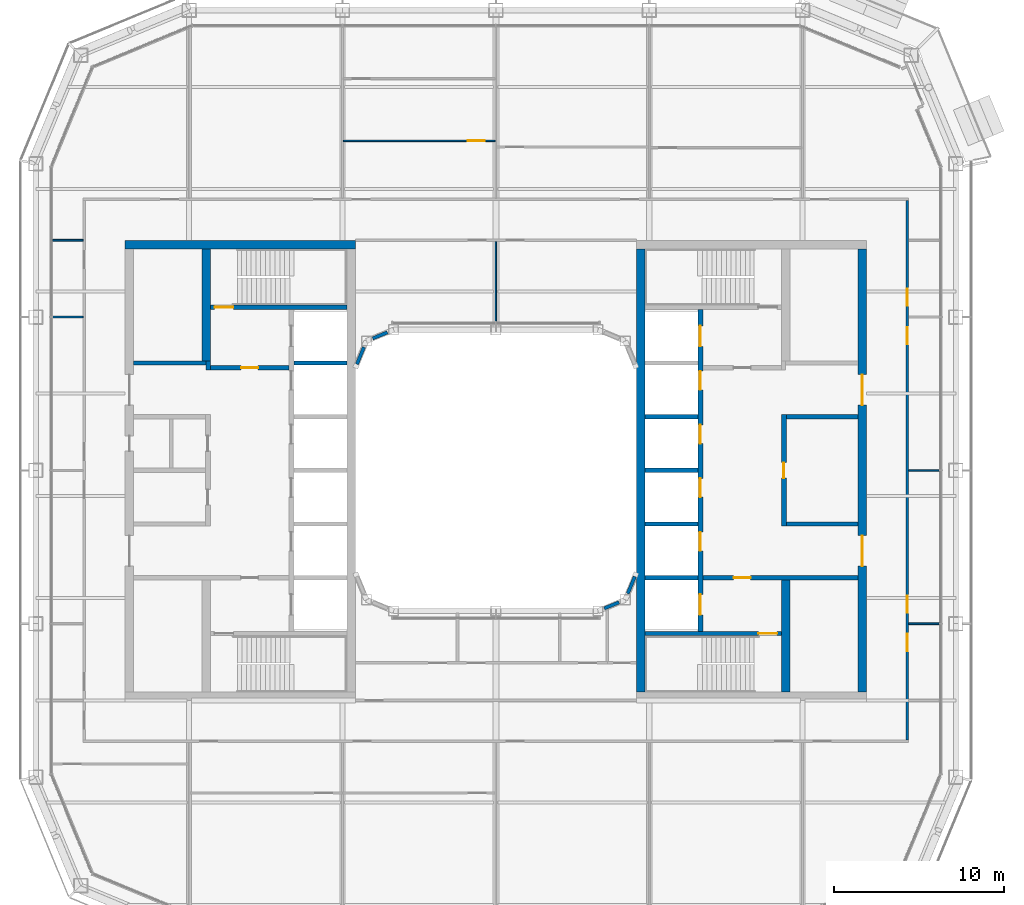
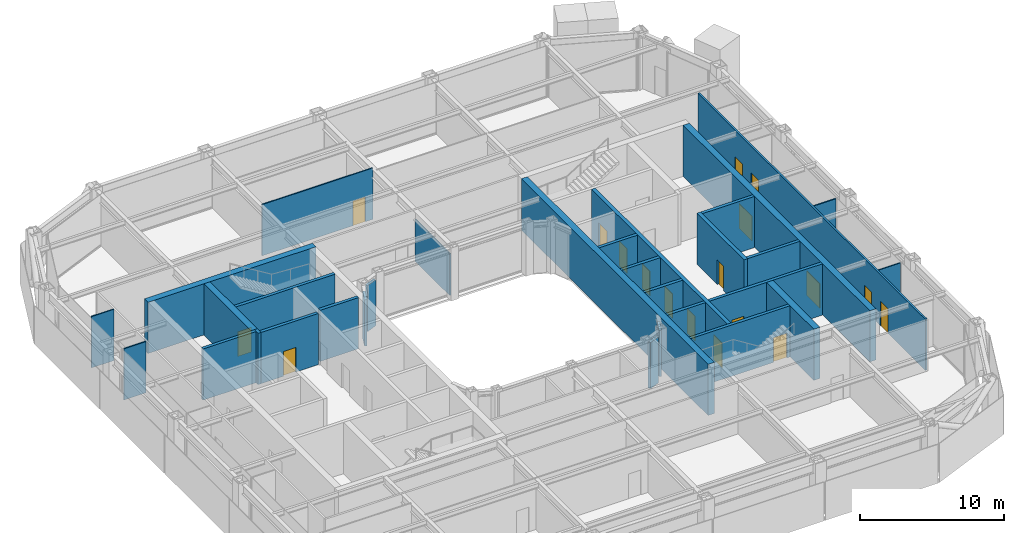
# One storey, part 14 of 23: 31 walls, 18 doors, 18 openings.
"""IFC4 building model written with IfcOpenShell, lengths in metres."""

import ifcopenshell
import ifcopenshell.guid

model = None  # the IFC model being written
_history = None  # IfcOwnerHistory: only IFC2X3 demands one
_inside = {}  # id of a spatial element -> (the spatial element, [elements in it])
_under = {}  # id of a project, library or spatial element -> (it, [spatial elements below it])
_declared = {}  # id of a project -> (the project, [libraries it declares])
_typed = {}  # id of a type object -> (the type object, [elements of that type])
_made_of = {}  # id of a material, layer set ... -> (it, [elements and type objects made of it])


def new_model(schema):
    """Start an empty IFC model of exactly this schema.

    Asked for "IFC4X3", IfcOpenShell would pick the latest addendum, in which some entities
    have other attributes; the version numbers below select the first issue.
    IFC2X3 requires an IfcOwnerHistory on every rooted entity: one is made here for all.
    """
    global model, _history
    if schema == "IFC4X3":
        model = ifcopenshell.file(schema_version=(4, 3, 0, 0))
    else:
        model = ifcopenshell.file(schema=schema)
    _inside.clear()
    _under.clear()
    _declared.clear()
    _typed.clear()
    _made_of.clear()
    _history = None
    if model.schema == "IFC2X3":
        org = make("IfcOrganization", Name="unknown")
        user = make(
            "IfcPersonAndOrganization",
            ThePerson=make("IfcPerson", FamilyName="unknown"),
            TheOrganization=org,
        )
        app = make(
            "IfcApplication",
            ApplicationDeveloper=org,
            Version="unknown",
            ApplicationFullName="unknown",
            ApplicationIdentifier="unknown",
        )
        _history = make(
            "IfcOwnerHistory",
            OwningUser=user,
            OwningApplication=app,
            ChangeAction="ADDED",
            CreationDate=0,
        )
    return model


def make(cls, **values):
    """One entity of the class cls with the attributes given. An attribute that is None is left unset."""
    return model.create_entity(
        cls, **{name: value for name, value in values.items() if value is not None}
    )


def rooted(cls, **values):
    """An entity with a GlobalId (a new one), such as an element, a storey or a relation."""
    return make(cls, GlobalId=ifcopenshell.guid.new(), OwnerHistory=_history, **values)


def si_unit(unit_type, name, prefix=None):
    """IfcSIUnit, for example si_unit("LENGTHUNIT", "METRE", prefix="MILLI")."""
    return make("IfcSIUnit", UnitType=unit_type, Prefix=prefix, Name=name)


def assignment(units):
    """IfcUnitAssignment: the units of a project."""
    return None if units is None else make("IfcUnitAssignment", Units=units)


def point(xyz):
    """IfcCartesianPoint."""
    return None if xyz is None else make("IfcCartesianPoint", Coordinates=xyz)


def direction(xyz):
    """IfcDirection."""
    return None if xyz is None else make("IfcDirection", DirectionRatios=xyz)


def frame(location, z_axis=None, x_axis=None):
    """IfcAxis2Placement3D, a coordinate frame: its origin and axes. An axis left out is left unset."""
    return make(
        "IfcAxis2Placement3D",
        Location=point(location),
        Axis=direction(z_axis),
        RefDirection=direction(x_axis),
    )


def frame_2d(location, x_axis=None):
    """IfcAxis2Placement2D, a coordinate frame in the plane: its origin and x axis."""
    return make(
        "IfcAxis2Placement2D", Location=point(location), RefDirection=direction(x_axis)
    )


def origin():
    """The frame at (0, 0, 0) with its axes left unset."""
    return frame((0.0, 0.0, 0.0))


def place(relative_to, where):
    """IfcLocalPlacement: puts the frame where relative to a parent placement (None: the world)."""
    return make(
        "IfcLocalPlacement", PlacementRelTo=relative_to, RelativePlacement=where
    )


def context(
    kind, dimensions, precision=None, world=None, true_north=None, identifier=None
):
    """IfcGeometricRepresentationContext, for example the 3D "Model" context."""
    return make(
        "IfcGeometricRepresentationContext",
        ContextIdentifier=identifier,
        ContextType=kind,
        CoordinateSpaceDimension=dimensions,
        Precision=precision,
        WorldCoordinateSystem=world,
        TrueNorth=true_north,
    )


def subcontext(parent, identifier, kind, view, scale=None):
    """IfcGeometricRepresentationSubContext, for example "Body" below "Model"."""
    return make(
        "IfcGeometricRepresentationSubContext",
        ContextIdentifier=identifier,
        ContextType=kind,
        ParentContext=parent,
        TargetScale=scale,
        TargetView=view,
    )


def project(units=None, contexts=None):
    """IfcProject with its units and contexts."""
    return rooted(
        "IfcProject",
        Name="project",
        RepresentationContexts=contexts,
        UnitsInContext=assignment(units),
    )


def spatial(cls, under=None, at=None, **own):
    """A site, building, storey or space (cls), placed at a placement, below another one or the project."""
    s = rooted(cls, ObjectPlacement=at, **own)
    if under is not None:
        _under.setdefault(under.id(), (under, []))[1].append(s)
    return s


def profile(cls, at=None, kind="AREA", **sizes):
    """A parametric profile (cls). Its sizes go by their IFC names, for example OverallWidth=200.0."""
    return make(cls, ProfileType=kind, Position=at, **sizes)


def rectangle(**sizes):
    """IfcRectangleProfileDef."""
    return profile("IfcRectangleProfileDef", **sizes)


def extrude(swept, where, along, depth):
    """IfcExtrudedAreaSolid: the profile swept, set in the frame where, extruded along a direction by depth."""
    return make(
        "IfcExtrudedAreaSolid",
        SweptArea=swept,
        Position=where,
        ExtrudedDirection=direction(along),
        Depth=depth,
    )


def shape(context_of_items, identifier, shape_type, items):
    """IfcShapeRepresentation: the items that make up one representation, for example the "Body"."""
    return make(
        "IfcShapeRepresentation",
        ContextOfItems=context_of_items,
        RepresentationIdentifier=identifier,
        RepresentationType=shape_type,
        Items=items,
    )


def material(Name=None, Category=None):
    """IfcMaterial."""
    return make("IfcMaterial", Name=Name, Category=Category)


def layer(
    of_material, thickness, ventilated=None, Name=None, Category=None, Priority=None
):
    """IfcMaterialLayer: one layer of a wall or slab, of a material (None: an air gap)."""
    return make(
        "IfcMaterialLayer",
        Material=of_material,
        LayerThickness=thickness,
        IsVentilated=ventilated,
        Name=Name,
        Category=Category,
        Priority=Priority,
    )


def layer_set(layers, Name=None):
    """IfcMaterialLayerSet."""
    return make("IfcMaterialLayerSet", MaterialLayers=layers, LayerSetName=Name)


def made_of(thing, what):
    """Note that an element or type object is made of a material, layer set ...; save() writes the relation."""
    if what is not None:
        _made_of.setdefault(what.id(), (what, []))[1].append(thing)
    return thing


def type_object(cls, material=None, **own):
    """A type object (cls), such as IfcWallType, which elements share."""
    return made_of(rooted(cls, **own), material)


def element(
    cls,
    number,
    at=None,
    inside=None,
    cuts=None,
    type_object=None,
    material=None,
    context=None,
    identifier="Body",
    shape_type=None,
    held_by="IfcProductDefinitionShape",
    body=None,
    shapes=None,
    **own,
):
    """One element of the class cls, such as IfcWall. Its Tag is "e" and its number.

    at: its placement. inside: the storey or other place that contains it. cuts: it is an
    opening in that element (IfcRelVoidsElement). A single representation is given by context,
    identifier, shape_type and body (its items); several are given by shapes. held_by: the class
    of the entity that holds the representations. save() writes the other relations.
    """
    e = rooted(cls, Tag="e%d" % number, ObjectPlacement=at, **own)
    if body is not None:
        shapes = [shape(context, identifier, shape_type, body)]
    if shapes is not None:
        e.Representation = make(held_by, Representations=shapes)
    if inside is not None:
        _inside.setdefault(inside.id(), (inside, []))[1].append(e)
    if cuts is not None:
        rooted(
            "IfcRelVoidsElement", RelatingBuildingElement=cuts, RelatedOpeningElement=e
        )
    if type_object is not None:
        _typed.setdefault(type_object.id(), (type_object, []))[1].append(e)
    return made_of(e, material)


def fill(opening, filler):
    """IfcRelFillsElement: the door or window that sits in an opening."""
    return rooted(
        "IfcRelFillsElement",
        RelatingOpeningElement=opening,
        RelatedBuildingElement=filler,
    )


def aggregate(whole, parts):
    """IfcRelAggregates: a whole, such as a stair, and the parts it consists of."""
    return rooted("IfcRelAggregates", RelatingObject=whole, RelatedObjects=parts)


def save(model, path):
    """Write the relations noted so far, then the file.

    IfcRelAggregates (storeys below a building ...), IfcRelContainedInSpatialStructure (elements
    in a storey), IfcRelDefinesByType, IfcRelAssociatesMaterial and IfcRelDeclares: one each for
    every whole, place, type object, material and project.
    """
    for whole, parts in _under.values():
        aggregate(whole, parts)
    for where, things in _inside.values():
        rooted(
            "IfcRelContainedInSpatialStructure",
            RelatedElements=things,
            RelatingStructure=where,
        )
    for kind, things in _typed.values():
        rooted("IfcRelDefinesByType", RelatedObjects=things, RelatingType=kind)
    for what, things in _made_of.values():
        rooted("IfcRelAssociatesMaterial", RelatedObjects=things, RelatingMaterial=what)
    for by, libraries in _declared.values():
        rooted("IfcRelDeclares", RelatingContext=by, RelatedDefinitions=libraries)
    model.write(path)


model = new_model("IFC4")

# Units and contexts
model_context = context("Model", 3, precision=1e-05, world=origin(), true_north=direction((0.0, 1.0)))
body_context = subcontext(model_context, "Body", "Model", "MODEL_VIEW")
ifc_project = project(units=[si_unit("LENGTHUNIT", "METRE"), si_unit("AREAUNIT", "SQUARE_METRE"), si_unit("VOLUMEUNIT", "CUBIC_METRE"), si_unit("PLANEANGLEUNIT", "RADIAN"), si_unit("MASSUNIT", "GRAM", prefix="KILO")], contexts=[model_context])

# Site, building, storey
site_placement = place(None, origin())
site = spatial("IfcSite", under=ifc_project, at=site_placement, CompositionType="ELEMENT")
building_placement = place(site_placement, origin())
building = spatial("IfcBuilding", under=site, at=building_placement, Name="Siwar Civic Tower", CompositionType="ELEMENT")
storey_placement = place(building_placement, frame((0.0, 0.0, 206.199951171875)))
storey = spatial("IfcBuildingStorey", under=building, at=storey_placement, Name="L44", CompositionType="ELEMENT", Elevation=206.199951171875)

# Wall, opening, door
ifc_material_1 = material(Name="Concrete C60/75", Category="concrete")
ifc_layer_1 = layer(ifc_material_1, 0.25)
ifc_layer_set_1 = layer_set([ifc_layer_1], Name="Concrete C60/75")
wall_type_1 = type_object("IfcWallType", Name="CORE-WALL-RC250", PredefinedType="SHEAR", material=ifc_layer_set_1)
wall_1_placement = place(storey_placement, frame((-12.14990234375, 6.02490234375, 0.0), z_axis=(0.0, 0.0, 1.0), x_axis=(-1.0, 0.0, 0.0)))
wall_1 = element("IfcWall", 1, at=wall_1_placement, inside=storey, type_object=wall_type_1, Name="Core wall W", PredefinedType="SHEAR", context=body_context, shape_type="SweptSolid", body=[
    extrude(rectangle(XDim=4.60009765625, YDim=0.25, at=frame_2d((2.300048828125, 0.0))), origin(), (0.0, 0.0, 1.0), 4.35009765625),
])
opening_1_placement = place(wall_1_placement, frame((1.800048828125, 0.0, 0.0)))
opening_1 = element("IfcOpeningElement", 2, at=opening_1_placement, cuts=wall_1, Name="Opening L44-CW01", PredefinedType="OPENING", context=body_context, shape_type="SweptSolid", body=[
    extrude(rectangle(XDim=1.0, YDim=2.10009765625, at=frame_2d((0.5, 1.050048828125))), frame((0.0, 0.135009765625, 0.0), z_axis=(0.0, -1.0, 0.0), x_axis=(1.0, 0.0, 0.0)), (0.0, 0.0, 1.0), 0.27001953125),
])
ifc_material_2 = material(Name="Steel door leaf", Category="steel")
door_type_1 = type_object("IfcDoorType", Name="CORE-DOOR-FD30S", OperationType="SINGLE_SWING_LEFT", PredefinedType="DOOR", material=ifc_material_2)
door_1_placement = place(opening_1_placement, origin())
door_1 = element("IfcDoor", 3, at=door_1_placement, inside=storey, type_object=door_type_1, Name="Firefighting lobby door L44-CW01", OperationType="SINGLE_SWING_LEFT", OverallHeight=2.10009765625, OverallWidth=1.0, PredefinedType="DOOR", context=body_context, shape_type="SweptSolid", body=[
    extrude(rectangle(XDim=1.0, YDim=2.10009765625, at=frame_2d((0.5, 1.050048828125))), frame((0.0, 0.02490234375, 0.0), z_axis=(0.0, -1.0, 0.0), x_axis=(1.0, 0.0, 0.0)), (0.0, 0.0, 1.0), 0.050048828125),
])
fill(opening_1, door_1)

# Walls
wall_2_placement = place(storey_placement, frame((-16.875, 5.89990234375, 0.0), z_axis=(0.0, 0.0, 1.0), x_axis=(0.0, 1.0, 0.0)))
element("IfcWall", 4, at=wall_2_placement, inside=storey, type_object=wall_type_1, Name="Core wall W", PredefinedType="SHEAR", context=body_context, shape_type="SweptSolid", body=[
    extrude(rectangle(XDim=0.525146484375, YDim=0.25, at=frame_2d((0.2626953125, 0.0))), origin(), (0.0, 0.0, 1.0), 4.35009765625),
])
wall_3_placement = place(storey_placement, frame((-17.0, 6.300048828125, 0.0), z_axis=(0.0, 0.0, 1.0), x_axis=(-1.0, 0.0, 0.0)))
element("IfcWall", 5, at=wall_3_placement, inside=storey, type_object=wall_type_1, Name="Core wall W", PredefinedType="SHEAR", context=body_context, shape_type="SweptSolid", body=[
    extrude(rectangle(XDim=4.25, YDim=0.25, at=frame_2d((2.125, 0.0))), origin(), (0.0, 0.0, 1.0), 4.35009765625),
])
wall_4_placement = place(storey_placement, frame((-8.75, 6.300048828125, 0.0), z_axis=(0.0, 0.0, 1.0), x_axis=(-1.0, 0.0, 0.0)))
element("IfcWall", 6, at=wall_4_placement, inside=storey, type_object=wall_type_1, Name="Core wall W", PredefinedType="SHEAR", context=body_context, shape_type="SweptSolid", body=[
    extrude(rectangle(XDim=3.10009765625, YDim=0.25, at=frame_2d((1.550048828125, 0.0))), origin(), (0.0, 0.0, 1.0), 4.35009765625),
])

# Wall, opening, door
wall_5_placement = place(storey_placement, frame((-8.75, 9.574951171875, 0.0), z_axis=(0.0, 0.0, 1.0), x_axis=(-1.0, 0.0, 0.0)))
wall_5 = element("IfcWall", 7, at=wall_5_placement, inside=storey, type_object=wall_type_1, Name="Core wall W", PredefinedType="SHEAR", context=body_context, shape_type="SweptSolid", body=[
    extrude(rectangle(XDim=8.0, YDim=0.25, at=frame_2d((4.0, 0.0))), origin(), (0.0, 0.0, 1.0), 4.35009765625),
])
opening_2_placement = place(wall_5_placement, frame((6.64990234375, 0.0, 0.0)))
opening_2 = element("IfcOpeningElement", 8, at=opening_2_placement, cuts=wall_5, Name="Opening L44-CW03", PredefinedType="OPENING", context=body_context, shape_type="SweptSolid", body=[
    extrude(rectangle(XDim=1.10009765625, YDim=2.10009765625, at=frame_2d((0.550048828125, 1.050048828125))), frame((0.0, 0.135009765625, 0.0), z_axis=(0.0, -1.0, 0.0), x_axis=(1.0, 0.0, 0.0)), (0.0, 0.0, 1.0), 0.27001953125),
])
ifc_material_3 = material(Name="Steel door leaf", Category="steel")
door_type_2 = type_object("IfcDoorType", Name="CORE-DOOR-FD60S", OperationType="SINGLE_SWING_LEFT", PredefinedType="DOOR", material=ifc_material_3)
door_2_placement = place(opening_2_placement, origin())
door_2 = element("IfcDoor", 9, at=door_2_placement, inside=storey, type_object=door_type_2, Name="Stair door L44-CW03", OperationType="SINGLE_SWING_RIGHT", OverallHeight=2.10009765625, OverallWidth=1.10009765625, PredefinedType="DOOR", context=body_context, shape_type="SweptSolid", body=[
    extrude(rectangle(XDim=1.10009765625, YDim=2.10009765625, at=frame_2d((0.550048828125, 1.050048828125))), frame((0.0, 0.02490234375, 0.0), z_axis=(0.0, -1.0, 0.0), x_axis=(1.0, 0.0, 0.0)), (0.0, 0.0, 1.0), 0.050048828125),
])
fill(opening_2, door_2)

wall_6_placement = place(storey_placement, frame((12.14990234375, -6.300048828125, 0.0), z_axis=(0.0, 0.0, 1.0), x_axis=(1.0, 0.0, 0.0)))
wall_6 = element("IfcWall", 10, at=wall_6_placement, inside=storey, type_object=wall_type_1, Name="Core wall E", PredefinedType="SHEAR", context=body_context, shape_type="SweptSolid", body=[
    extrude(rectangle(XDim=9.10009765625, YDim=0.25, at=frame_2d((4.550048828125, 0.0))), origin(), (0.0, 0.0, 1.0), 4.35009765625),
])
opening_3_placement = place(wall_6_placement, frame((1.800048828125, 0.0, 0.0)))
opening_3 = element("IfcOpeningElement", 11, at=opening_3_placement, cuts=wall_6, Name="Opening L44-CE02", PredefinedType="OPENING", context=body_context, shape_type="SweptSolid", body=[
    extrude(rectangle(XDim=1.0, YDim=2.10009765625, at=frame_2d((0.5, 1.050048828125))), frame((0.0, 0.135009765625, 0.0), z_axis=(0.0, -1.0, 0.0), x_axis=(1.0, 0.0, 0.0)), (0.0, 0.0, 1.0), 0.27001953125),
])
door_3_placement = place(opening_3_placement, origin())
door_3 = element("IfcDoor", 12, at=door_3_placement, inside=storey, type_object=door_type_1, Name="Service lobby door L44-CE02", OperationType="SINGLE_SWING_LEFT", OverallHeight=2.10009765625, OverallWidth=1.0, PredefinedType="DOOR", context=body_context, shape_type="SweptSolid", body=[
    extrude(rectangle(XDim=1.0, YDim=2.10009765625, at=frame_2d((0.5, 1.050048828125))), frame((0.0, 0.02490234375, 0.0), z_axis=(0.0, -1.0, 0.0), x_axis=(1.0, 0.0, 0.0)), (0.0, 0.0, 1.0), 0.050048828125),
])
fill(opening_3, door_3)

# Walls
for number, where, z_axis, x_axis, name in (
    (13, (17.050048828125, 3.14990234375, 0.0), (0.0, 0.0, 1.0), (1.0, 0.0, 0.0), "Core wall E"),
    (14, (17.050048828125, -3.14990234375, 0.0), (0.0, 0.0, 1.0), (1.0, 0.0, 0.0), "Core wall E"),
):
    element("IfcWall", number, at=place(storey_placement, frame(where, z_axis=z_axis, x_axis=x_axis)), inside=storey, type_object=wall_type_1, Name=name, PredefinedType="SHEAR", context=body_context, shape_type="SweptSolid", body=[
        extrude(rectangle(XDim=4.199951171875, YDim=0.25, at=frame_2d((2.10009765625, 0.0))), origin(), (0.0, 0.0, 1.0), 4.35009765625),
    ])
for number, where, z_axis, x_axis, name in (
    (15, (8.75, 0.0, 0.0), (0.0, 0.0, 1.0), (1.0, 0.0, 0.0), "Core wall E"),
    (16, (8.75, 3.14990234375, 0.0), (0.0, 0.0, 1.0), (1.0, 0.0, 0.0), "Core wall E"),
    (17, (8.75, -3.14990234375, 0.0), (0.0, 0.0, 1.0), (1.0, 0.0, 0.0), "Core wall E"),
    (18, (8.75, -6.300048828125, 0.0), (0.0, 0.0, 1.0), (1.0, 0.0, 0.0), "Core wall E"),
):
    element("IfcWall", number, at=place(storey_placement, frame(where, z_axis=z_axis, x_axis=x_axis)), inside=storey, type_object=wall_type_1, Name=name, PredefinedType="SHEAR", context=body_context, shape_type="SweptSolid", body=[
        extrude(rectangle(XDim=3.10009765625, YDim=0.25, at=frame_2d((1.550048828125, 0.0))), origin(), (0.0, 0.0, 1.0), 4.35009765625),
    ])

# Wall, opening, door
wall_7_placement = place(storey_placement, frame((8.75, -9.574951171875, 0.0), z_axis=(0.0, 0.0, 1.0), x_axis=(1.0, 0.0, 0.0)))
wall_7 = element("IfcWall", 19, at=wall_7_placement, inside=storey, type_object=wall_type_1, Name="Core wall E", PredefinedType="SHEAR", context=body_context, shape_type="SweptSolid", body=[
    extrude(rectangle(XDim=8.0, YDim=0.25, at=frame_2d((4.0, 0.0))), origin(), (0.0, 0.0, 1.0), 4.35009765625),
])
opening_4_placement = place(wall_7_placement, frame((6.64990234375, 0.0, 0.0)))
opening_4 = element("IfcOpeningElement", 20, at=opening_4_placement, cuts=wall_7, Name="Opening L44-CE04", PredefinedType="OPENING", context=body_context, shape_type="SweptSolid", body=[
    extrude(rectangle(XDim=1.10009765625, YDim=2.10009765625, at=frame_2d((0.550048828125, 1.050048828125))), frame((0.0, 0.135009765625, 0.0), z_axis=(0.0, -1.0, 0.0), x_axis=(1.0, 0.0, 0.0)), (0.0, 0.0, 1.0), 0.27001953125),
])
door_4_placement = place(opening_4_placement, origin())
door_4 = element("IfcDoor", 21, at=door_4_placement, inside=storey, type_object=door_type_2, Name="Stair door L44-CE04", OperationType="SINGLE_SWING_RIGHT", OverallHeight=2.10009765625, OverallWidth=1.10009765625, PredefinedType="DOOR", context=body_context, shape_type="SweptSolid", body=[
    extrude(rectangle(XDim=1.10009765625, YDim=2.10009765625, at=frame_2d((0.550048828125, 1.050048828125))), frame((0.0, 0.02490234375, 0.0), z_axis=(0.0, -1.0, 0.0), x_axis=(1.0, 0.0, 0.0)), (0.0, 0.0, 1.0), 0.050048828125),
])
fill(opening_4, door_4)

# Wall, openings, doors
ifc_material_4 = material(Name="Concrete C60/75", Category="concrete")
ifc_layer_2 = layer(ifc_material_4, 0.300048828125)
ifc_layer_set_2 = layer_set([ifc_layer_2], Name="Concrete C60/75")
wall_type_2 = type_object("IfcWallType", Name="CORE-WALL-RC300", PredefinedType="SHEAR", material=ifc_layer_set_2)
wall_8_placement = place(storey_placement, frame((12.0, -9.449951171875, 0.0), z_axis=(0.0, 0.0, 1.0), x_axis=(0.0, 1.0, 0.0)))
wall_8 = element("IfcWall", 22, at=wall_8_placement, inside=storey, type_object=wall_type_2, Name="Core wall E", PredefinedType="SHEAR", context=body_context, shape_type="SweptSolid", body=[
    extrude(rectangle(XDim=18.89990234375, YDim=0.300048828125, at=frame_2d((9.449951171875, 0.0))), origin(), (0.0, 0.0, 1.0), 4.35009765625),
])
opening_5_placement = place(wall_8_placement, frame((4.72509765625, 0.0, 0.0)))
opening_5 = element("IfcOpeningElement", 23, at=opening_5_placement, cuts=wall_8, Name="Opening L44-CE07", PredefinedType="OPENING", context=body_context, shape_type="SweptSolid", body=[
    extrude(rectangle(XDim=1.10009765625, YDim=2.10009765625, at=frame_2d((0.550048828125, 1.050048828125))), frame((0.0, 0.16015625, 0.0), z_axis=(0.0, -1.0, 0.0), x_axis=(1.0, 0.0, 0.0)), (0.0, 0.0, 1.0), 0.320068359375),
])
opening_6_placement = place(wall_8_placement, frame((7.875, 0.0, 0.0)))
opening_6 = element("IfcOpeningElement", 24, at=opening_6_placement, cuts=wall_8, Name="Opening L44-CE08", PredefinedType="OPENING", context=body_context, shape_type="SweptSolid", body=[
    extrude(rectangle(XDim=1.10009765625, YDim=2.10009765625, at=frame_2d((0.550048828125, 1.050048828125))), frame((0.0, 0.16015625, 0.0), z_axis=(0.0, -1.0, 0.0), x_axis=(1.0, 0.0, 0.0)), (0.0, 0.0, 1.0), 0.320068359375),
])
opening_7_placement = place(wall_8_placement, frame((11.02490234375, 0.0, 0.0)))
opening_7 = element("IfcOpeningElement", 25, at=opening_7_placement, cuts=wall_8, Name="Opening L44-CE09", PredefinedType="OPENING", context=body_context, shape_type="SweptSolid", body=[
    extrude(rectangle(XDim=1.10009765625, YDim=2.10009765625, at=frame_2d((0.550048828125, 1.050048828125))), frame((0.0, 0.16015625, 0.0), z_axis=(0.0, -1.0, 0.0), x_axis=(1.0, 0.0, 0.0)), (0.0, 0.0, 1.0), 0.320068359375),
])
opening_8_placement = place(wall_8_placement, frame((14.175048828125, 0.0, 0.0)))
opening_8 = element("IfcOpeningElement", 26, at=opening_8_placement, cuts=wall_8, Name="Opening L44-CE10", PredefinedType="OPENING", context=body_context, shape_type="SweptSolid", body=[
    extrude(rectangle(XDim=1.10009765625, YDim=2.10009765625, at=frame_2d((0.550048828125, 1.050048828125))), frame((0.0, 0.16015625, 0.0), z_axis=(0.0, -1.0, 0.0), x_axis=(1.0, 0.0, 0.0)), (0.0, 0.0, 1.0), 0.320068359375),
])
opening_9_placement = place(wall_8_placement, frame((16.72509765625, 0.0, 0.0)))
opening_9 = element("IfcOpeningElement", 27, at=opening_9_placement, cuts=wall_8, Name="Opening L44-CE11", PredefinedType="OPENING", context=body_context, shape_type="SweptSolid", body=[
    extrude(rectangle(XDim=1.199951171875, YDim=2.10009765625, at=frame_2d((0.60009765625, 1.050048828125))), frame((0.0, 0.16015625, 0.0), z_axis=(0.0, -1.0, 0.0), x_axis=(1.0, 0.0, 0.0)), (0.0, 0.0, 1.0), 0.320068359375),
])
opening_10_placement = place(wall_8_placement, frame((0.97509765625, 0.0, 0.0)))
opening_10 = element("IfcOpeningElement", 28, at=opening_10_placement, cuts=wall_8, Name="Opening L44-CE12", PredefinedType="OPENING", context=body_context, shape_type="SweptSolid", body=[
    extrude(rectangle(XDim=1.199951171875, YDim=2.10009765625, at=frame_2d((0.60009765625, 1.050048828125))), frame((0.0, 0.16015625, 0.0), z_axis=(0.0, -1.0, 0.0), x_axis=(1.0, 0.0, 0.0)), (0.0, 0.0, 1.0), 0.320068359375),
])
ifc_material_5 = material(Name="Steel door leaf", Category="steel")
door_type_3 = type_object("IfcDoorType", Name="CORE-DOOR-LD", OperationType="DOUBLE_DOOR_SLIDING", PredefinedType="DOOR", material=ifc_material_5)
door_5_placement = place(opening_5_placement, origin())
door_5 = element("IfcDoor", 29, at=door_5_placement, inside=storey, type_object=door_type_3, Name="Landing door HR5 L44-CE07", OperationType="DOUBLE_DOOR_SLIDING", OverallHeight=2.10009765625, OverallWidth=1.10009765625, PredefinedType="DOOR", context=body_context, shape_type="SweptSolid", body=[
    extrude(rectangle(XDim=1.10009765625, YDim=2.10009765625, at=frame_2d((0.550048828125, 1.050048828125))), frame((0.0, 0.02490234375, 0.0), z_axis=(0.0, -1.0, 0.0), x_axis=(1.0, 0.0, 0.0)), (0.0, 0.0, 1.0), 0.050048828125),
])
fill(opening_5, door_5)
door_6_placement = place(opening_6_placement, origin())
door_6 = element("IfcDoor", 30, at=door_6_placement, inside=storey, type_object=door_type_3, Name="Landing door HR6 L44-CE08", OperationType="DOUBLE_DOOR_SLIDING", OverallHeight=2.10009765625, OverallWidth=1.10009765625, PredefinedType="DOOR", context=body_context, shape_type="SweptSolid", body=[
    extrude(rectangle(XDim=1.10009765625, YDim=2.10009765625, at=frame_2d((0.550048828125, 1.050048828125))), frame((0.0, 0.02490234375, 0.0), z_axis=(0.0, -1.0, 0.0), x_axis=(1.0, 0.0, 0.0)), (0.0, 0.0, 1.0), 0.050048828125),
])
fill(opening_6, door_6)
door_7_placement = place(opening_7_placement, origin())
door_7 = element("IfcDoor", 31, at=door_7_placement, inside=storey, type_object=door_type_3, Name="Landing door HR7 L44-CE09", OperationType="DOUBLE_DOOR_SLIDING", OverallHeight=2.10009765625, OverallWidth=1.10009765625, PredefinedType="DOOR", context=body_context, shape_type="SweptSolid", body=[
    extrude(rectangle(XDim=1.10009765625, YDim=2.10009765625, at=frame_2d((0.550048828125, 1.050048828125))), frame((0.0, 0.02490234375, 0.0), z_axis=(0.0, -1.0, 0.0), x_axis=(1.0, 0.0, 0.0)), (0.0, 0.0, 1.0), 0.050048828125),
])
fill(opening_7, door_7)
door_8_placement = place(opening_8_placement, origin())
door_8 = element("IfcDoor", 32, at=door_8_placement, inside=storey, type_object=door_type_3, Name="Landing door HR8 L44-CE10", OperationType="DOUBLE_DOOR_SLIDING", OverallHeight=2.10009765625, OverallWidth=1.10009765625, PredefinedType="DOOR", context=body_context, shape_type="SweptSolid", body=[
    extrude(rectangle(XDim=1.10009765625, YDim=2.10009765625, at=frame_2d((0.550048828125, 1.050048828125))), frame((0.0, 0.02490234375, 0.0), z_axis=(0.0, -1.0, 0.0), x_axis=(1.0, 0.0, 0.0)), (0.0, 0.0, 1.0), 0.050048828125),
])
fill(opening_8, door_8)
ifc_material_6 = material(Name="Steel door leaf", Category="steel")
door_type_4 = type_object("IfcDoorType", Name="CORE-DOOR-LDW", OperationType="DOUBLE_DOOR_SLIDING", PredefinedType="DOOR", material=ifc_material_6)
door_9_placement = place(opening_9_placement, origin())
door_9 = element("IfcDoor", 33, at=door_9_placement, inside=storey, type_object=door_type_4, Name="Landing door FF2 L44-CE11", OperationType="DOUBLE_DOOR_SLIDING", OverallHeight=2.10009765625, OverallWidth=1.199951171875, PredefinedType="DOOR", context=body_context, shape_type="SweptSolid", body=[
    extrude(rectangle(XDim=1.199951171875, YDim=2.10009765625, at=frame_2d((0.60009765625, 1.050048828125))), frame((0.0, 0.02490234375, 0.0), z_axis=(0.0, -1.0, 0.0), x_axis=(1.0, 0.0, 0.0)), (0.0, 0.0, 1.0), 0.050048828125),
])
fill(opening_9, door_9)
door_10_placement = place(opening_10_placement, origin())
door_10 = element("IfcDoor", 34, at=door_10_placement, inside=storey, type_object=door_type_4, Name="Landing door SV2 L44-CE12", OperationType="DOUBLE_DOOR_SLIDING", OverallHeight=2.10009765625, OverallWidth=1.199951171875, PredefinedType="DOOR", context=body_context, shape_type="SweptSolid", body=[
    extrude(rectangle(XDim=1.199951171875, YDim=2.10009765625, at=frame_2d((0.60009765625, 1.050048828125))), frame((0.0, 0.02490234375, 0.0), z_axis=(0.0, -1.0, 0.0), x_axis=(1.0, 0.0, 0.0)), (0.0, 0.0, 1.0), 0.050048828125),
])
fill(opening_10, door_10)

# Wall, opening, door
wall_9_placement = place(storey_placement, frame((16.89990234375, -3.27490234375, 0.0), z_axis=(0.0, 0.0, 1.0), x_axis=(0.0, 1.0, 0.0)))
wall_9 = element("IfcWall", 35, at=wall_9_placement, inside=storey, type_object=wall_type_2, Name="Core wall E", PredefinedType="SHEAR", context=body_context, shape_type="SweptSolid", body=[
    extrude(rectangle(XDim=6.5498046875, YDim=0.300048828125, at=frame_2d((3.27490234375, 0.0))), origin(), (0.0, 0.0, 1.0), 4.35009765625),
])
opening_11_placement = place(wall_9_placement, frame((2.824951171875, 0.0, 0.0)))
opening_11 = element("IfcOpeningElement", 36, at=opening_11_placement, cuts=wall_9, Name="Opening L44-CE13", PredefinedType="OPENING", context=body_context, shape_type="SweptSolid", body=[
    extrude(rectangle(XDim=0.89990234375, YDim=2.10009765625, at=frame_2d((0.449951171875, 1.050048828125))), frame((0.0, 0.16015625, 0.0), z_axis=(0.0, -1.0, 0.0), x_axis=(1.0, 0.0, 0.0)), (0.0, 0.0, 1.0), 0.320068359375),
])
ifc_material_7 = material(Name="Steel door leaf", Category="steel")
door_type_5 = type_object("IfcDoorType", Name="CORE-DOOR-ROOM", OperationType="SINGLE_SWING_LEFT", PredefinedType="DOOR", material=ifc_material_7)
door_11_placement = place(opening_11_placement, origin())
door_11 = element("IfcDoor", 37, at=door_11_placement, inside=storey, type_object=door_type_5, Name="Core room door L44-CE13", OperationType="SINGLE_SWING_LEFT", OverallHeight=2.10009765625, OverallWidth=0.89990234375, PredefinedType="DOOR", context=body_context, shape_type="SweptSolid", body=[
    extrude(rectangle(XDim=0.89990234375, YDim=2.10009765625, at=frame_2d((0.449951171875, 1.050048828125))), frame((0.0, 0.02490234375, 0.0), z_axis=(0.0, -1.0, 0.0), x_axis=(1.0, 0.0, 0.0)), (0.0, 0.0, 1.0), 0.050048828125),
])
fill(opening_11, door_11)

# Walls
ifc_material_8 = material(Name="Concrete C60/75", Category="concrete")
ifc_layer_3 = layer(ifc_material_8, 0.5)
ifc_layer_set_3 = layer_set([ifc_layer_3], Name="Concrete C60/75")
wall_type_3 = type_object("IfcWallType", Name="CORE-WALL-RC500", PredefinedType="SHEAR", material=ifc_layer_set_3)
wall_10_placement = place(storey_placement, frame((-17.0, 6.425048828125, 0.0), z_axis=(0.0, 0.0, 1.0), x_axis=(0.0, 1.0, 0.0)))
element("IfcWall", 38, at=wall_10_placement, inside=storey, type_object=wall_type_3, Name="Core wall W", PredefinedType="SHEAR", context=body_context, shape_type="SweptSolid", body=[
    extrude(rectangle(XDim=6.574951171875, YDim=0.5, at=frame_2d((3.28759765625, 0.0))), origin(), (0.0, 0.0, 1.0), 4.35009765625),
])
wall_11_placement = place(storey_placement, frame((-8.25, 13.25, 0.0), z_axis=(0.0, 0.0, 1.0), x_axis=(-1.0, 0.0, 0.0)))
element("IfcWall", 39, at=wall_11_placement, inside=storey, type_object=wall_type_3, Name="Core wall W", PredefinedType="SHEAR", context=body_context, shape_type="SweptSolid", body=[
    extrude(rectangle(XDim=13.5, YDim=0.5, at=frame_2d((6.75, 0.0))), origin(), (0.0, 0.0, 1.0), 4.35009765625),
])

# Wall, openings, doors
wall_12_placement = place(storey_placement, frame((21.5, -13.0, 0.0), z_axis=(0.0, 0.0, 1.0), x_axis=(0.0, 1.0, 0.0)))
wall_12 = element("IfcWall", 40, at=wall_12_placement, inside=storey, type_object=wall_type_3, Name="Core wall E", PredefinedType="SHEAR", context=body_context, shape_type="SweptSolid", body=[
    extrude(rectangle(XDim=26.0, YDim=0.5, at=frame_2d((13.0, 0.0))), origin(), (0.0, 0.0, 1.0), 4.35009765625),
])
opening_12_placement = place(wall_12_placement, frame((16.824951171875, 0.0, 0.0)))
opening_12 = element("IfcOpeningElement", 41, at=opening_12_placement, cuts=wall_12, Name="Opening L44-CE05", PredefinedType="OPENING", context=body_context, shape_type="SweptSolid", body=[
    extrude(rectangle(XDim=1.800048828125, YDim=2.10009765625, at=frame_2d((0.89990234375, 1.050048828125))), frame((0.0, 0.260009765625, 0.0), z_axis=(0.0, -1.0, 0.0), x_axis=(1.0, 0.0, 0.0)), (0.0, 0.0, 1.0), 0.52001953125),
])
opening_13_placement = place(wall_12_placement, frame((7.375, 0.0, 0.0)))
opening_13 = element("IfcOpeningElement", 42, at=opening_13_placement, cuts=wall_12, Name="Opening L44-CE06", PredefinedType="OPENING", context=body_context, shape_type="SweptSolid", body=[
    extrude(rectangle(XDim=1.800048828125, YDim=2.10009765625, at=frame_2d((0.89990234375, 1.050048828125))), frame((0.0, 0.260009765625, 0.0), z_axis=(0.0, -1.0, 0.0), x_axis=(1.0, 0.0, 0.0)), (0.0, 0.0, 1.0), 0.52001953125),
])
ifc_material_9 = material(Name="Steel door leaf", Category="steel")
door_type_6 = type_object("IfcDoorType", Name="CORE-DOOR-PORT", OperationType="DOUBLE_DOOR_DOUBLE_SWING", PredefinedType="DOOR", material=ifc_material_9)
door_12_placement = place(opening_12_placement, origin())
door_12 = element("IfcDoor", 43, at=door_12_placement, inside=storey, type_object=door_type_6, Name="Core entrance door L44-CE05", OperationType="DOUBLE_DOOR_DOUBLE_SWING", OverallHeight=2.10009765625, OverallWidth=1.800048828125, PredefinedType="DOOR", context=body_context, shape_type="SweptSolid", body=[
    extrude(rectangle(XDim=1.800048828125, YDim=2.10009765625, at=frame_2d((0.89990234375, 1.050048828125))), frame((0.0, 0.02490234375, 0.0), z_axis=(0.0, -1.0, 0.0), x_axis=(1.0, 0.0, 0.0)), (0.0, 0.0, 1.0), 0.050048828125),
])
fill(opening_12, door_12)
door_13_placement = place(opening_13_placement, origin())
door_13 = element("IfcDoor", 44, at=door_13_placement, inside=storey, type_object=door_type_6, Name="Core entrance door L44-CE06", OperationType="DOUBLE_DOOR_DOUBLE_SWING", OverallHeight=2.10009765625, OverallWidth=1.800048828125, PredefinedType="DOOR", context=body_context, shape_type="SweptSolid", body=[
    extrude(rectangle(XDim=1.800048828125, YDim=2.10009765625, at=frame_2d((0.89990234375, 1.050048828125))), frame((0.0, 0.02490234375, 0.0), z_axis=(0.0, -1.0, 0.0), x_axis=(1.0, 0.0, 0.0)), (0.0, 0.0, 1.0), 0.050048828125),
])
fill(opening_13, door_13)

# Walls
wall_13_placement = place(storey_placement, frame((17.0, -13.0, 0.0), z_axis=(0.0, 0.0, 1.0), x_axis=(0.0, 1.0, 0.0)))
element("IfcWall", 45, at=wall_13_placement, inside=storey, type_object=wall_type_3, Name="Core wall E", PredefinedType="SHEAR", context=body_context, shape_type="SweptSolid", body=[
    extrude(rectangle(XDim=6.574951171875, YDim=0.5, at=frame_2d((3.28759765625, 0.0))), origin(), (0.0, 0.0, 1.0), 4.35009765625),
])
ifc_material_10 = material(Name="Concrete C60/75", Category="concrete")
ifc_layer_4 = layer(ifc_material_10, 0.5)
ifc_layer_set_4 = layer_set([ifc_layer_4], Name="Concrete C60/75")
wall_type_4 = type_object("IfcWallType", Name="CORE-WALL-RC500-EXT", PredefinedType="SHEAR", material=ifc_layer_set_4)
wall_14_placement = place(storey_placement, frame((8.5, -13.0, 0.0), z_axis=(0.0, 0.0, 1.0), x_axis=(0.0, 1.0, 0.0)))
element("IfcWall", 46, at=wall_14_placement, inside=storey, type_object=wall_type_4, Name="Core wall E", PredefinedType="SHEAR", context=body_context, shape_type="SweptSolid", body=[
    extrude(rectangle(XDim=26.0, YDim=0.5, at=frame_2d((13.0, 0.0))), origin(), (0.0, 0.0, 1.0), 4.35009765625),
])

# Wall, openings, doors
ifc_material_11 = material(Name="Gypsum board on steel studs", Category="steel")
ifc_layer_5 = layer(ifc_material_11, 0.14990234375)
ifc_layer_set_5 = layer_set([ifc_layer_5], Name="Gypsum board on steel studs")
wall_type_5 = type_object("IfcWallType", Name="CORRIDOR PARTITION 150 EI 30", PredefinedType="PARTITIONING", material=ifc_layer_set_5)
wall_15_placement = place(storey_placement, frame((24.14990234375, -15.824951171875, 0.0), z_axis=(0.0, 0.0, 1.0), x_axis=(0.0, 1.0, 0.0)))
wall_15 = element("IfcWall", 47, at=wall_15_placement, inside=storey, type_object=wall_type_5, Name="L44/wall/P39", PredefinedType="PARTITIONING", context=body_context, shape_type="SweptSolid", body=[
    extrude(rectangle(XDim=31.64990234375, YDim=0.14990234375, at=frame_2d((15.824951171875, 0.0))), origin(), (0.0, 0.0, 1.0), 4.35009765625),
])
opening_14_placement = place(wall_15_placement, frame((5.22509765625, 0.0, 0.0)))
opening_14 = element("IfcOpeningElement", 48, at=opening_14_placement, cuts=wall_15, Name="Opening D1", PredefinedType="OPENING", context=body_context, shape_type="SweptSolid", body=[
    extrude(rectangle(XDim=1.0, YDim=2.10009765625, at=frame_2d((0.5, 1.050048828125))), frame((0.0, 0.0849609375, 0.0), z_axis=(0.0, -1.0, 0.0), x_axis=(1.0, 0.0, 0.0)), (0.0, 0.0, 1.0), 0.169921875),
])
opening_15_placement = place(wall_15_placement, frame((7.47509765625, 0.0, 0.0)))
opening_15 = element("IfcOpeningElement", 49, at=opening_15_placement, cuts=wall_15, Name="Opening D1", PredefinedType="OPENING", context=body_context, shape_type="SweptSolid", body=[
    extrude(rectangle(XDim=1.0, YDim=2.10009765625, at=frame_2d((0.5, 1.050048828125))), frame((0.0, 0.0849609375, 0.0), z_axis=(0.0, -1.0, 0.0), x_axis=(1.0, 0.0, 0.0)), (0.0, 0.0, 1.0), 0.169921875),
])
opening_16_placement = place(wall_15_placement, frame((23.22509765625, 0.0, 0.0)))
opening_16 = element("IfcOpeningElement", 50, at=opening_16_placement, cuts=wall_15, Name="Opening D1", PredefinedType="OPENING", context=body_context, shape_type="SweptSolid", body=[
    extrude(rectangle(XDim=1.0, YDim=2.10009765625, at=frame_2d((0.5, 1.050048828125))), frame((0.0, 0.0849609375, 0.0), z_axis=(0.0, -1.0, 0.0), x_axis=(1.0, 0.0, 0.0)), (0.0, 0.0, 1.0), 0.169921875),
])
opening_17_placement = place(wall_15_placement, frame((25.47509765625, 0.0, 0.0)))
opening_17 = element("IfcOpeningElement", 51, at=opening_17_placement, cuts=wall_15, Name="Opening D1", PredefinedType="OPENING", context=body_context, shape_type="SweptSolid", body=[
    extrude(rectangle(XDim=1.0, YDim=2.10009765625, at=frame_2d((0.5, 1.050048828125))), frame((0.0, 0.0849609375, 0.0), z_axis=(0.0, -1.0, 0.0), x_axis=(1.0, 0.0, 0.0)), (0.0, 0.0, 1.0), 0.169921875),
])
ifc_material_12 = material(Name="Timber, painted", Category="wood")
door_type_7 = type_object("IfcDoorType", Name="DOOR 1000 X 2100 FD30", OperationType="SINGLE_SWING_LEFT", PredefinedType="DOOR", material=ifc_material_12)
door_14_placement = place(opening_14_placement, origin())
door_14 = element("IfcDoor", 52, at=door_14_placement, inside=storey, type_object=door_type_7, Name="L44-D24", OperationType="SINGLE_SWING_RIGHT", OverallHeight=2.10009765625, OverallWidth=1.0, PredefinedType="DOOR", context=body_context, shape_type="SweptSolid", body=[
    extrude(rectangle(XDim=1.0, YDim=2.10009765625, at=frame_2d((0.5, 1.050048828125))), frame((0.0, 0.02490234375, 0.0), z_axis=(0.0, -1.0, 0.0), x_axis=(1.0, 0.0, 0.0)), (0.0, 0.0, 1.0), 0.050048828125),
])
fill(opening_14, door_14)
door_15_placement = place(opening_15_placement, origin())
door_15 = element("IfcDoor", 53, at=door_15_placement, inside=storey, type_object=door_type_7, Name="L44-D25", OperationType="SINGLE_SWING_LEFT", OverallHeight=2.10009765625, OverallWidth=1.0, PredefinedType="DOOR", context=body_context, shape_type="SweptSolid", body=[
    extrude(rectangle(XDim=1.0, YDim=2.10009765625, at=frame_2d((0.5, 1.050048828125))), frame((0.0, 0.02490234375, 0.0), z_axis=(0.0, -1.0, 0.0), x_axis=(1.0, 0.0, 0.0)), (0.0, 0.0, 1.0), 0.050048828125),
])
fill(opening_15, door_15)
door_16_placement = place(opening_16_placement, origin())
door_16 = element("IfcDoor", 54, at=door_16_placement, inside=storey, type_object=door_type_7, Name="L44-D26", OperationType="SINGLE_SWING_RIGHT", OverallHeight=2.10009765625, OverallWidth=1.0, PredefinedType="DOOR", context=body_context, shape_type="SweptSolid", body=[
    extrude(rectangle(XDim=1.0, YDim=2.10009765625, at=frame_2d((0.5, 1.050048828125))), frame((0.0, 0.02490234375, 0.0), z_axis=(0.0, -1.0, 0.0), x_axis=(1.0, 0.0, 0.0)), (0.0, 0.0, 1.0), 0.050048828125),
])
fill(opening_16, door_16)
door_17_placement = place(opening_17_placement, origin())
door_17 = element("IfcDoor", 55, at=door_17_placement, inside=storey, type_object=door_type_7, Name="L44-D27", OperationType="SINGLE_SWING_LEFT", OverallHeight=2.10009765625, OverallWidth=1.0, PredefinedType="DOOR", context=body_context, shape_type="SweptSolid", body=[
    extrude(rectangle(XDim=1.0, YDim=2.10009765625, at=frame_2d((0.5, 1.050048828125))), frame((0.0, 0.02490234375, 0.0), z_axis=(0.0, -1.0, 0.0), x_axis=(1.0, 0.0, 0.0)), (0.0, 0.0, 1.0), 0.050048828125),
])
fill(opening_17, door_17)

# Walls
ifc_material_13 = material(Name="Aluminium clad insulated panel", Category="aluminium")
ifc_layer_6 = layer(ifc_material_13, 0.199951171875)
ifc_layer_set_6 = layer_set([ifc_layer_6], Name="Aluminium clad insulated panel")
wall_type_6 = type_object("IfcWallType", Name="ENV-WALL-WELL", PredefinedType="STANDARD", material=ifc_layer_set_6)
wall_16_placement = place(storey_placement, frame((6.362060546875, -8.10009765625, 0.0), z_axis=(0.0, 0.0, 1.0), x_axis=(0.923829670615, 0.382803787458, 0.0)))
element("IfcWall", 56, at=wall_16_placement, inside=storey, type_object=wall_type_6, Name="Light well corner wall SE1", PredefinedType="STANDARD", context=body_context, shape_type="SweptSolid", body=[
    extrude(rectangle(XDim=0.938232421875, YDim=0.199951171875, at=frame_2d((0.46923828125, 0.0))), origin(), (0.0, 0.0, 1.0), 3.91796875),
])
wall_17_placement = place(storey_placement, frame((7.740966796875, -7.228759765625, 0.0), z_axis=(0.0, 0.0, 1.0), x_axis=(0.382704496366, 0.923870807235, 0.0)))
element("IfcWall", 57, at=wall_17_placement, inside=storey, type_object=wall_type_6, Name="Light well corner wall SE2", PredefinedType="STANDARD", context=body_context, shape_type="SweptSolid", body=[
    extrude(rectangle(XDim=1.080078125, YDim=0.199951171875, at=frame_2d((0.5400390625, 0.0))), origin(), (0.0, 0.0, 1.0), 3.91796875),
])
wall_18_placement = place(storey_placement, frame((-6.362060546875, 8.10009765625, 0.0), z_axis=(0.0, 0.0, 1.0), x_axis=(-0.923829670615, -0.382803787458, 0.0)))
element("IfcWall", 58, at=wall_18_placement, inside=storey, type_object=wall_type_6, Name="Light well corner wall NW1", PredefinedType="STANDARD", context=body_context, shape_type="SweptSolid", body=[
    extrude(rectangle(XDim=0.938232421875, YDim=0.199951171875, at=frame_2d((0.46923828125, 0.0))), origin(), (0.0, 0.0, 1.0), 3.91796875),
])
wall_19_placement = place(storey_placement, frame((-7.740966796875, 7.228759765625, 0.0), z_axis=(0.0, 0.0, 1.0), x_axis=(-0.382704496366, -0.923870807235, 0.0)))
element("IfcWall", 59, at=wall_19_placement, inside=storey, type_object=wall_type_6, Name="Light well corner wall NW2", PredefinedType="STANDARD", context=body_context, shape_type="SweptSolid", body=[
    extrude(rectangle(XDim=1.080078125, YDim=0.199951171875, at=frame_2d((0.5400390625, 0.0))), origin(), (0.0, 0.0, 1.0), 3.91796875),
])
ifc_material_14 = material(Name="Gypsum board on steel studs", Category="steel")
ifc_layer_7 = layer(ifc_material_14, 0.10009765625)
ifc_layer_set_7 = layer_set([ifc_layer_7], Name="Gypsum board on steel studs")
wall_type_7 = type_object("IfcWallType", Name="PARTITION 100 GYPSUM", PredefinedType="PARTITIONING", material=ifc_layer_set_7)
for number, where, z_axis, x_axis, name in (
    (60, (24.22509765625, -9.0, 0.0), (0.0, 0.0, 1.0), (1.0, 0.0, 0.0), "L44/wall/P10"),
    (61, (24.22509765625, 0.0, 0.0), (0.0, 0.0, 1.0), (1.0, 0.0, 0.0), "L44/wall/P12"),
    (62, (-26.010009765625, 9.0, 0.0), (0.0, 0.0, 1.0), (1.0, 0.0, 0.0), "L44/wall/P13"),
    (63, (-26.010009765625, 13.5, 0.0), (0.0, 0.0, 1.0), (1.0, 0.0, 0.0), "L44/wall/P15"),
):
    element("IfcWall", number, at=place(storey_placement, frame(where, z_axis=z_axis, x_axis=x_axis)), inside=storey, type_object=wall_type_7, Name=name, PredefinedType="PARTITIONING", context=body_context, shape_type="SweptSolid", body=[
        extrude(rectangle(XDim=1.784912109375, YDim=0.10009765625, at=frame_2d((0.892578125, 0.0))), origin(), (0.0, 0.0, 1.0), 4.35009765625),
    ])

# Wall, opening, door
wall_20_placement = place(storey_placement, frame((-8.949951171875, 19.3369140625, 0.0), z_axis=(0.0, 0.0, 1.0), x_axis=(1.0, 0.0, 0.0)))
wall_20 = element("IfcWall", 64, at=wall_20_placement, inside=storey, type_object=wall_type_7, Name="L44/wall/P21", PredefinedType="PARTITIONING", context=body_context, shape_type="SweptSolid", body=[
    extrude(rectangle(XDim=8.89990234375, YDim=0.10009765625, at=frame_2d((4.449951171875, 0.0))), origin(), (0.0, 0.0, 1.0), 4.35009765625),
])
opening_18_placement = place(wall_20_placement, frame((7.300048828125, 0.0, 0.0)))
opening_18 = element("IfcOpeningElement", 65, at=opening_18_placement, cuts=wall_20, Name="Opening D2", PredefinedType="OPENING", context=body_context, shape_type="SweptSolid", body=[
    extrude(rectangle(XDim=1.0, YDim=2.10009765625, at=frame_2d((0.5, 1.050048828125))), frame((0.0, 0.06005859375, 0.0), z_axis=(0.0, -1.0, 0.0), x_axis=(1.0, 0.0, 0.0)), (0.0, 0.0, 1.0), 0.1201171875),
])
ifc_material_15 = material(Name="Timber, painted", Category="wood")
door_type_8 = type_object("IfcDoorType", Name="DOOR 1000 X 2100", OperationType="SINGLE_SWING_LEFT", PredefinedType="DOOR", material=ifc_material_15)
door_18_placement = place(opening_18_placement, origin())
door_18 = element("IfcDoor", 66, at=door_18_placement, inside=storey, type_object=door_type_8, Name="L44-D03", OperationType="SINGLE_SWING_LEFT", OverallHeight=2.10009765625, OverallWidth=1.0, PredefinedType="DOOR", context=body_context, shape_type="SweptSolid", body=[
    extrude(rectangle(XDim=1.0, YDim=2.10009765625, at=frame_2d((0.5, 1.050048828125))), frame((0.0, 0.02490234375, 0.0), z_axis=(0.0, -1.0, 0.0), x_axis=(1.0, 0.0, 0.0)), (0.0, 0.0, 1.0), 0.050048828125),
])
fill(opening_18, door_18)

# Wall
wall_21_placement = place(storey_placement, frame((0.0, 8.60009765625, 0.0), z_axis=(0.0, 0.0, 1.0), x_axis=(0.0, 1.0, 0.0)))
element("IfcWall", 67, at=wall_21_placement, inside=storey, type_object=wall_type_7, Name="L44/wall/P31", PredefinedType="PARTITIONING", context=body_context, shape_type="SweptSolid", body=[
    extrude(rectangle(XDim=4.824951171875, YDim=0.10009765625, at=frame_2d((2.41259765625, 0.0))), origin(), (0.0, 0.0, 1.0), 3.550048828125),
])

save(model, "model.ifc")
